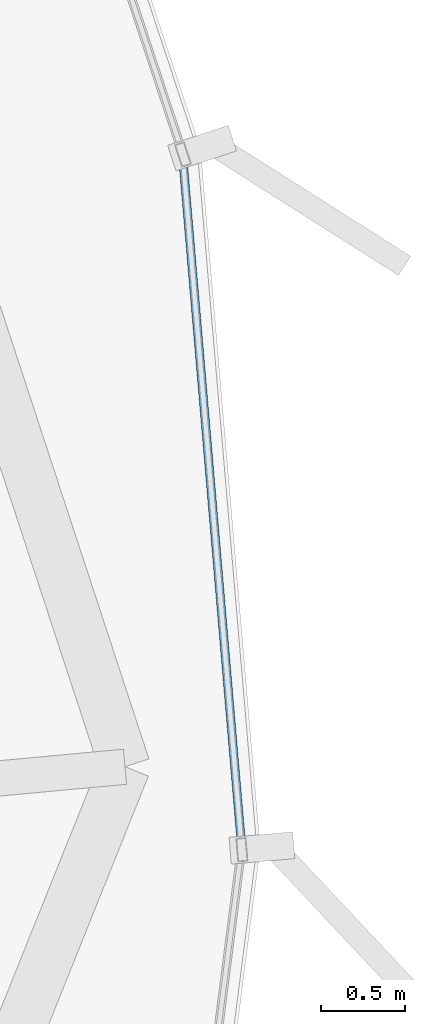
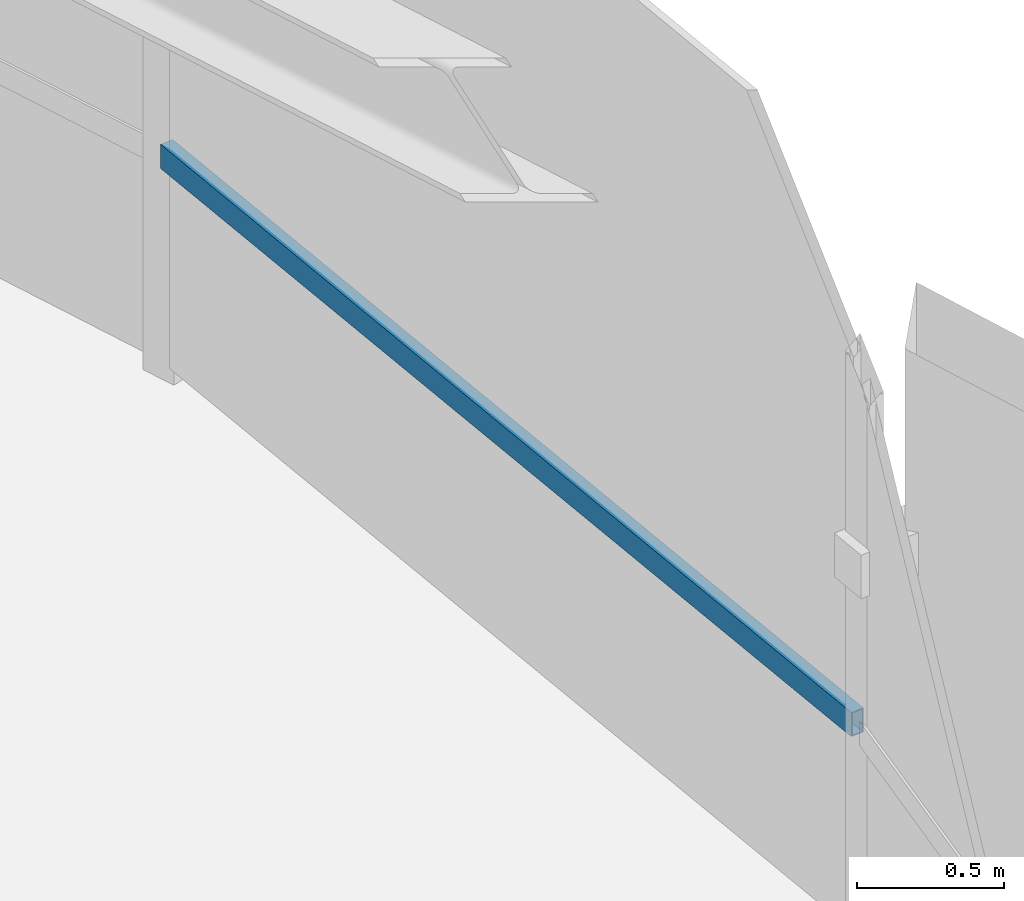
# One storey, part 17 of 35: 1 member, 1 element without a shape of its own.
"""IFC4 building model written with IfcOpenShell, lengths in metres."""

from ifc_helpers import new_model, si_unit, direction, frame, origin, origin_2d, place, context, subcontext, project, spatial, hollow_rectangle, extrude, source, transform, mapped, material, layer, layer_set, material_profile, profile_set, type_object, element, aggregate, save


model = new_model("IFC4")

# Units and contexts
model_context = context("Model", 3, precision=1e-05, world=origin(), true_north=direction((0.0, 1.0)))
body_context = subcontext(model_context, "Body", "Model", "MODEL_VIEW")
ifc_project = project(units=[si_unit("LENGTHUNIT", "METRE"), si_unit("AREAUNIT", "SQUARE_METRE"), si_unit("VOLUMEUNIT", "CUBIC_METRE"), si_unit("PLANEANGLEUNIT", "RADIAN"), si_unit("MASSUNIT", "GRAM", prefix="KILO"), si_unit("THERMODYNAMICTEMPERATUREUNIT", "KELVIN")], contexts=[model_context])

# Site, building, storey
site_placement = place(None, origin())
site = spatial("IfcSite", under=ifc_project, at=site_placement, CompositionType="ELEMENT")
building_placement = place(site_placement, origin())
building = spatial("IfcBuilding", under=site, at=building_placement, Name="Kethvar Cultural Tower", CompositionType="ELEMENT")
storey_placement = place(building_placement, frame((0.0, 0.0, 135.89990234375)))
storey = spatial("IfcBuildingStorey", under=building, at=storey_placement, Name="L34", CompositionType="ELEMENT", Elevation=135.89990234375)

# Curtain wall, member
ifc_material = material(Name="Aluminium 6063-T6", Category="aluminium")
ifc_layer = layer(ifc_material, 0.179931640625, Name="Aluminium 6063-T6", Category="aluminium")
ifc_layer_set = layer_set([ifc_layer], Name="Aluminium 6063-T6 (180 mm)")
curtain_wall_type = type_object("IfcCurtainWallType", Name="CW-SYS-04-Z34", PredefinedType="NOTDEFINED", material=ifc_layer_set)
curtain_wall_placement = place(storey_placement, origin())
curtain_wall = element("IfcCurtainWall", 1, at=curtain_wall_placement, inside=storey, type_object=curtain_wall_type, Name="L34 Curtain Wall Run 06", PredefinedType="NOTDEFINED")
ifc_material_profile = material_profile(ifc_material, hollow_rectangle(XDim=0.050048828125, YDim=0.10009765625, WallThickness=0.00390625, at=origin_2d()), Name="Aluminium 6063-T6 — RHS100x50x4")
ifc_profile_set = profile_set([ifc_material_profile], Name="Aluminium 6063-T6 — RHS100x50x4")
member_type = type_object("IfcMemberType", Name="CW-SYS-04-Z34-TRN", PredefinedType="USERDEFINED", material=ifc_profile_set)
shared_shape = source(origin(), body_context, "Body", "SweptSolid", [
    extrude(hollow_rectangle(XDim=0.050048828125, YDim=0.10009765625, WallThickness=0.00390625, at=origin_2d()), origin(), (0.0, 0.0, 1.0), 4.096435546875),
])
member_placement = place(storey_placement, frame((75.481689453125, 32.577392578125, 0.9501953125), z_axis=(-0.085107007677, 0.996371816765, 0.0), x_axis=(-0.996371816765, -0.085107007677, 0.0)))
member = element("IfcMember", 2, at=member_placement, type_object=member_type, Name="CW-L34-R06 Transom 5", ObjectType="TRANSOM", PredefinedType="USERDEFINED", context=body_context, shape_type="MappedRepresentation", body=[
    mapped(shared_shape, transform((0.0, 0.0, 0.0), scale=1.0)),
])
aggregate(curtain_wall, [member])

save(model, "model.ifc")
